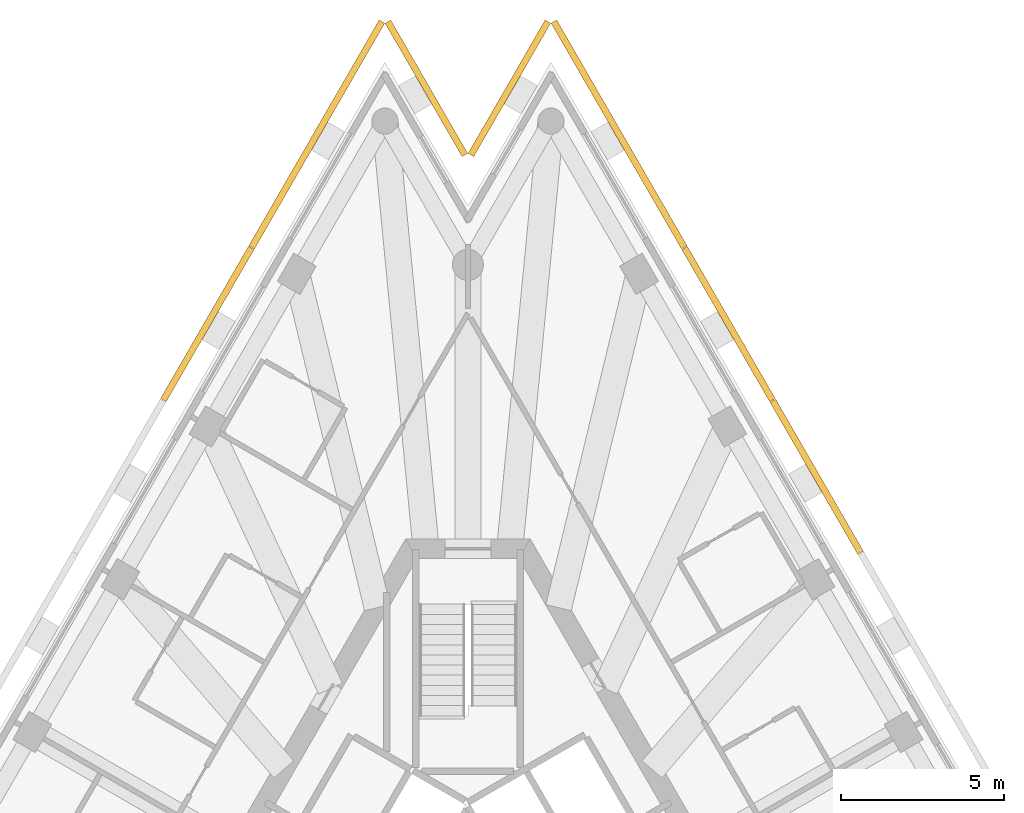
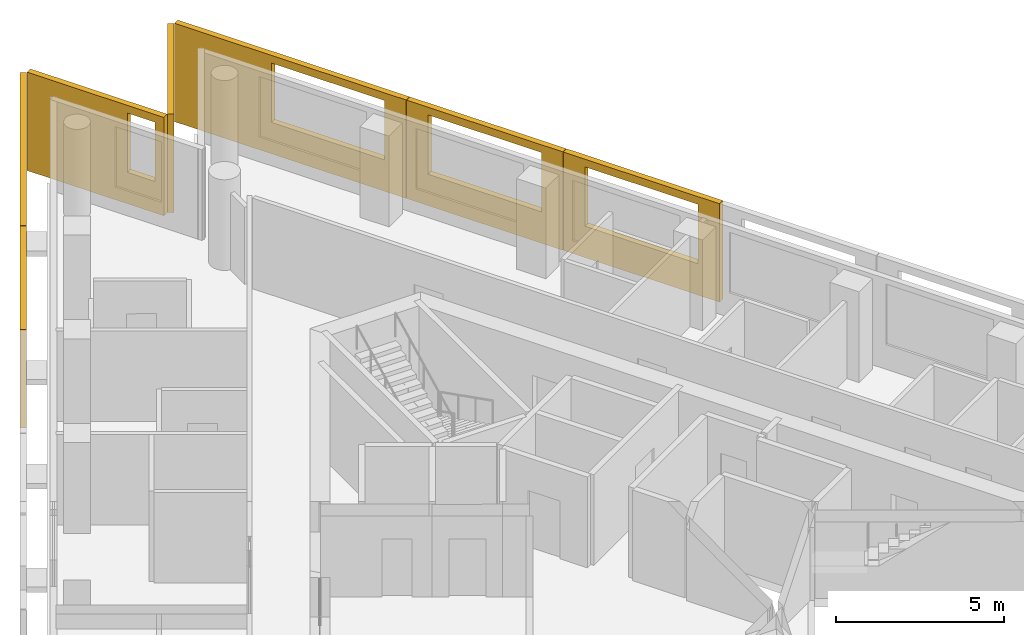
# One storey, part 10 of 10: 7 shading devices.
"""IFC4 building model written with IfcOpenShell, lengths in metres."""

from ifc_helpers import new_model, si_unit, direction, frame, origin, place, context, subcontext, project, spatial, polyline, outline, extrude, material, layer, layer_set, type_object, element, save


model = new_model("IFC4")

# Units and contexts
model_context = context("Model", 3, precision=1e-05, world=origin(), true_north=direction((0.0, 1.0)))
body_context = subcontext(model_context, "Body", "Model", "MODEL_VIEW")
ifc_project = project(units=[si_unit("LENGTHUNIT", "METRE"), si_unit("AREAUNIT", "SQUARE_METRE"), si_unit("VOLUMEUNIT", "CUBIC_METRE"), si_unit("PLANEANGLEUNIT", "RADIAN"), si_unit("MASSUNIT", "GRAM", prefix="KILO")], contexts=[model_context])

# Site, building, storey
site_placement = place(None, origin())
site = spatial("IfcSite", under=ifc_project, at=site_placement, CompositionType="ELEMENT")
building_placement = place(site_placement, origin())
building = spatial("IfcBuilding", under=site, at=building_placement, Name="Triada Interchange Tower", CompositionType="ELEMENT")
storey_placement = place(building_placement, frame((0.0, 0.0, 289.89990234375)))
storey = spatial("IfcBuildingStorey", under=building, at=storey_placement, Name="L68", CompositionType="ELEMENT", Elevation=289.89990234375)

# Shading devices
ifc_material = material(Name="Concrete C50/60 precast", Category="concrete")
ifc_layer_1 = layer(ifc_material, 0.02001953125, Name="Exposed aggregate face")
ifc_layer_2 = layer(ifc_material, 0.179931640625, Name="Precast concrete screen")
ifc_layer_set = layer_set([ifc_layer_1, ifc_layer_2], Name="Outer skin screen panel 3580")
shading_device_type = type_object("IfcShadingDeviceType", Name="Outer skin screen panel 3580", PredefinedType="SHUTTER", material=ifc_layer_set)
shading_device_1_placement = place(storey_placement, frame((-2.5439453125, 29.373046875, -0.289794921875), z_axis=(0.0, 0.0, 1.0), x_axis=(-0.50000256641, -0.866023922062, 0.0)))
element("IfcShadingDevice", 1, at=shading_device_1_placement, inside=storey, type_object=shading_device_type, Name="Outer skin screen panel L68 01", PredefinedType="SHUTTER", context=body_context, shape_type="SweptSolid", body=[
    extrude(outline(polyline([(0.0, 0.0), (7.97216796875, 0.0), (7.97216796875, 3.579833984375), (0.0, 3.579833984375), (0.0, 0.0)]), holes=[polyline([(3.335693359375, 1.139892578125), (3.335693359375, 3.300048828125), (7.235595703125, 3.300048828125), (7.235595703125, 1.139892578125), (3.335693359375, 1.139892578125)])]), frame((0.0, 0.0, 0.0), z_axis=(0.0, -1.0, 0.0), x_axis=(1.0, 0.0, 0.0)), (0.0, 0.0, 1.0), 0.199951171875),
])
shading_device_2_placement = place(storey_placement, frame((-6.5400390625, 22.451904296875, -0.289794921875), z_axis=(0.0, 0.0, 1.0), x_axis=(-0.500076296064, -0.86598134975, 0.0)))
element("IfcShadingDevice", 2, at=shading_device_2_placement, inside=storey, type_object=shading_device_type, Name="Outer skin screen panel L68 02", PredefinedType="SHUTTER", context=body_context, shape_type="SweptSolid", body=[
    extrude(outline(polyline([(0.0, 0.0), (5.375244140625, 0.0), (5.375244140625, 3.579833984375), (0.0, 3.579833984375), (0.0, 0.0)]), holes=[polyline([(0.737060546875, 1.139892578125), (0.737060546875, 3.300048828125), (4.636962890625, 3.300048828125), (4.636962890625, 1.139892578125), (0.737060546875, 1.139892578125)])]), frame((0.0, 0.0, 0.0), z_axis=(0.0, -1.0, 0.0), x_axis=(1.0, 0.0, 0.0)), (0.0, 0.0, 1.0), 0.199951171875),
])
shading_device_3_placement = place(storey_placement, frame((11.925048828125, 13.125, -0.289794921875), z_axis=(0.0, 0.0, 1.0), x_axis=(-0.499920363698, 0.866071376943, 0.0)))
element("IfcShadingDevice", 3, at=shading_device_3_placement, inside=storey, type_object=shading_device_type, Name="Outer skin screen panel L68 26", PredefinedType="SHUTTER", context=body_context, shape_type="SweptSolid", body=[
    extrude(outline(polyline([(0.0, 0.0), (5.375, 0.0), (5.375, 3.579833984375), (0.0, 3.579833984375), (0.0, 0.0)]), holes=[polyline([(0.73681640625, 1.139892578125), (0.73681640625, 3.300048828125), (4.63671875, 3.300048828125), (4.63671875, 1.139892578125), (0.73681640625, 1.139892578125)])]), frame((0.0, 0.0, 0.0), z_axis=(0.0, -1.0, 0.0), x_axis=(1.0, 0.0, 0.0)), (0.0, 0.0, 1.0), 0.199951171875),
])
shading_device_4_placement = place(storey_placement, frame((9.22802734375, 17.797119140625, -0.289794921875), z_axis=(0.0, 0.0, 1.0), x_axis=(-0.500076296064, 0.86598134975, 0.0)))
element("IfcShadingDevice", 4, at=shading_device_4_placement, inside=storey, type_object=shading_device_type, Name="Outer skin screen panel L68 27", PredefinedType="SHUTTER", context=body_context, shape_type="SweptSolid", body=[
    extrude(outline(polyline([(0.0, 0.0), (5.375244140625, 0.0), (5.375244140625, 3.579833984375), (0.0, 3.579833984375), (0.0, 0.0)]), holes=[polyline([(0.7373046875, 1.139892578125), (0.7373046875, 3.300048828125), (4.637451171875, 3.300048828125), (4.637451171875, 1.139892578125), (0.7373046875, 1.139892578125)])]), frame((0.0, 0.0, 0.0), z_axis=(0.0, -1.0, 0.0), x_axis=(1.0, 0.0, 0.0)), (0.0, 0.0, 1.0), 0.199951171875),
])
shading_device_5_placement = place(storey_placement, frame((6.530029296875, 22.468994140625, -0.289794921875), z_axis=(0.0, 0.0, 1.0), x_axis=(-0.50000256641, 0.866023922062, 0.0)))
element("IfcShadingDevice", 5, at=shading_device_5_placement, inside=storey, type_object=shading_device_type, Name="Outer skin screen panel L68 28", PredefinedType="SHUTTER", context=body_context, shape_type="SweptSolid", body=[
    extrude(outline(polyline([(0.0, 0.0), (7.97216796875, 0.0), (7.97216796875, 3.579833984375), (0.0, 3.579833984375), (0.0, 0.0)]), holes=[polyline([(0.73681640625, 1.139892578125), (0.73681640625, 3.300048828125), (4.636962890625, 3.300048828125), (4.636962890625, 1.139892578125), (0.73681640625, 1.139892578125)])]), frame((0.0, 0.0, 0.0), z_axis=(0.0, -1.0, 0.0), x_axis=(1.0, 0.0, 0.0)), (0.0, 0.0, 1.0), 0.199951171875),
])
shading_device_6_placement = place(storey_placement, frame((2.533935546875, 29.373046875, -0.289794921875), z_axis=(0.0, 0.0, 1.0), x_axis=(-0.499961643653, -0.866047547699, 0.0)))
element("IfcShadingDevice", 6, at=shading_device_6_placement, inside=storey, type_object=shading_device_type, Name="Outer skin screen panel L68 29", PredefinedType="SHUTTER", context=body_context, shape_type="SweptSolid", body=[
    extrude(outline(polyline([(0.0, 0.0), (4.712158203125, 0.0), (4.712158203125, 3.579833984375), (0.0, 3.579833984375), (0.0, 0.0)]), holes=[polyline([(3.17578125, 1.139892578125), (3.17578125, 3.300048828125), (4.41259765625, 3.300048828125), (4.41259765625, 1.139892578125), (3.17578125, 1.139892578125)])]), frame((0.0, 0.0, 0.0), z_axis=(0.0, -1.0, 0.0), x_axis=(1.0, 0.0, 0.0)), (0.0, 0.0, 1.0), 0.199951171875),
])
shading_device_7_placement = place(storey_placement, frame((-0.177978515625, 25.2919921875, -0.289794921875), z_axis=(0.0, 0.0, 1.0), x_axis=(-0.499961643653, 0.866047547699, 0.0)))
element("IfcShadingDevice", 7, at=shading_device_7_placement, inside=storey, type_object=shading_device_type, Name="Outer skin screen panel L68 30", PredefinedType="SHUTTER", context=body_context, shape_type="SweptSolid", body=[
    extrude(outline(polyline([(0.0, 0.0), (4.712158203125, 0.0), (4.712158203125, 3.579833984375), (0.0, 3.579833984375), (0.0, 0.0)]), holes=[polyline([(0.300048828125, 1.139892578125), (0.300048828125, 3.300048828125), (1.2578125, 3.300048828125), (1.2578125, 1.139892578125), (0.300048828125, 1.139892578125)])]), frame((0.0, 0.0, 0.0), z_axis=(0.0, -1.0, 0.0), x_axis=(1.0, 0.0, 0.0)), (0.0, 0.0, 1.0), 0.199951171875),
])

save(model, "model.ifc")
